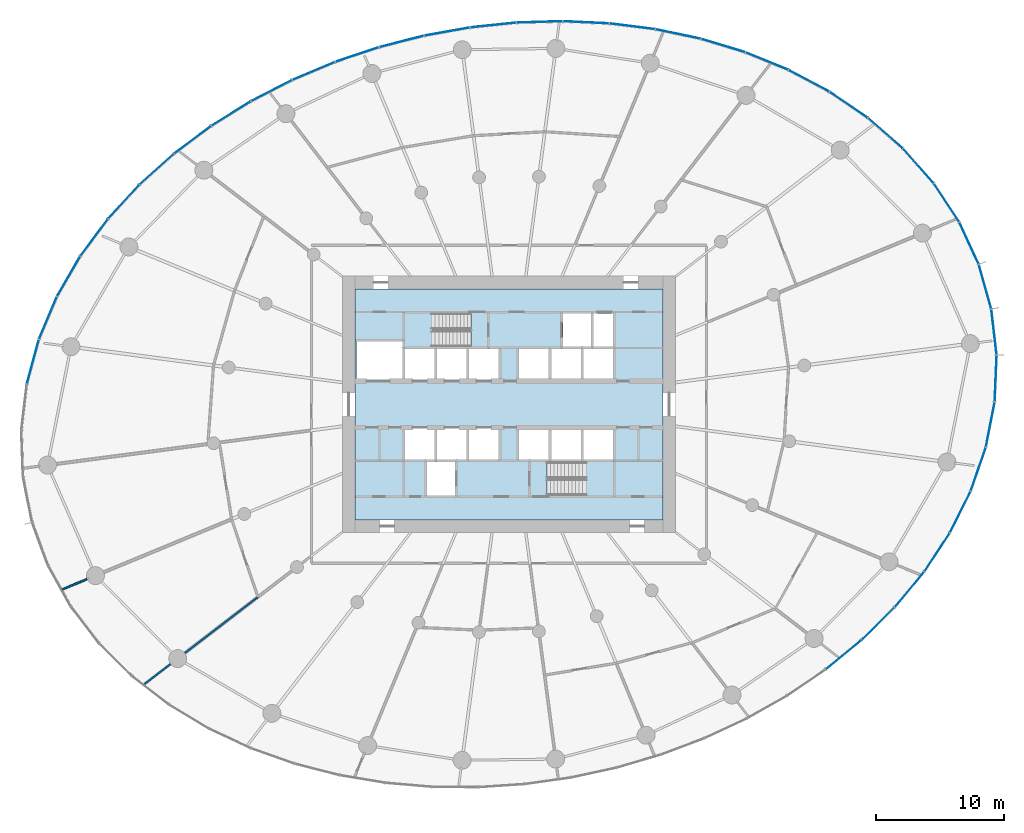
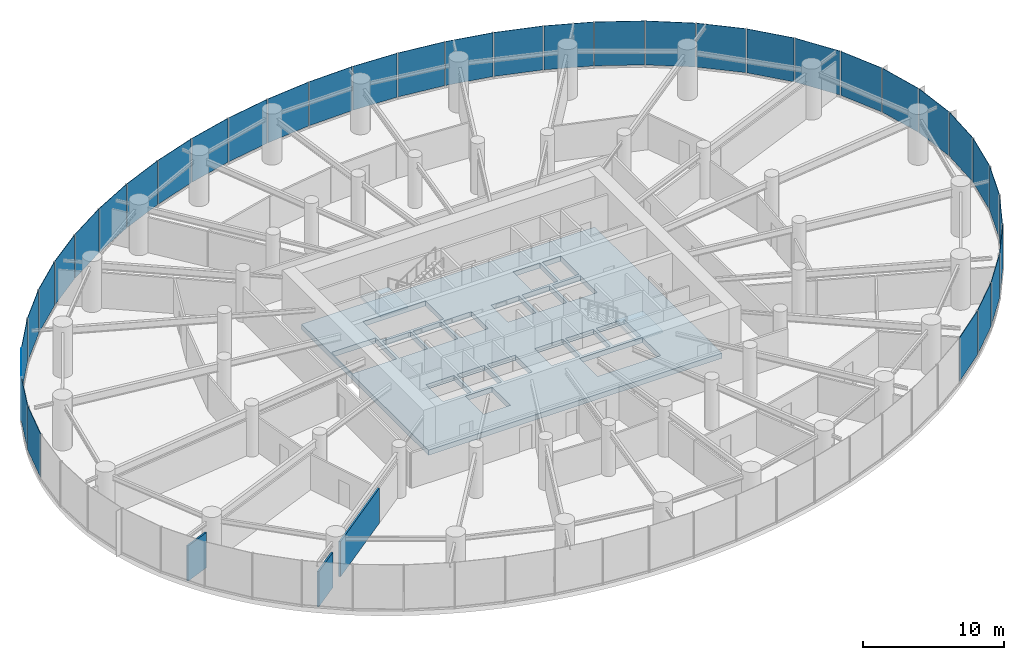
# One storey, part 11 of 19: 36 plates, 3 slabs, 3 walls, 9 elements without a shape of their own.
"""IFC4 building model written with IfcOpenShell, lengths in metres."""

from ifc_helpers import new_model, si_unit, direction, frame, frame_2d, origin, origin_2d, place, context, subcontext, project, spatial, line, indexed_curve, rectangle, outline, extrude, source, transform, mapped, material, layer, layer_set, type_object, element, aggregate, save


model = new_model("IFC4")

# Units and contexts
model_context = context("Model", 3, precision=1e-05, world=origin(), true_north=direction((0.0, 1.0)))
body_context = subcontext(model_context, "Body", "Model", "MODEL_VIEW")
ifc_project = project(units=[si_unit("LENGTHUNIT", "METRE"), si_unit("AREAUNIT", "SQUARE_METRE"), si_unit("VOLUMEUNIT", "CUBIC_METRE"), si_unit("PLANEANGLEUNIT", "RADIAN"), si_unit("MASSUNIT", "GRAM", prefix="KILO")], contexts=[model_context])

# Site, building, storey
site_placement = place(None, origin())
site = spatial("IfcSite", under=ifc_project, at=site_placement, CompositionType="ELEMENT")
building_placement = place(site_placement, origin())
building = spatial("IfcBuilding", under=site, at=building_placement, Name="Spindrift Exchange Tower", CompositionType="ELEMENT")
storey_placement = place(building_placement, frame((0.0, 0.0, 57.800048828125)))
storey = spatial("IfcBuildingStorey", under=building, at=storey_placement, Name="L13", CompositionType="ELEMENT", Elevation=57.800048828125)

# Slab
ifc_material_1 = material(Name="Concrete 50 MPa", Category="concrete")
ifc_layer_1 = layer(ifc_material_1, 0.449951171875)
ifc_layer_set_1 = layer_set([ifc_layer_1], Name="SL-CORE-FLOOR-450")
slab_type_1 = type_object("IfcSlabType", Name="SL-CORE-FLOOR-450", PredefinedType="FLOOR", material=ifc_layer_set_1)
slab_1_placement = place(storey_placement, frame((0.0, 0.0, -0.449951171875)))
element("IfcSlab", 1, at=slab_1_placement, inside=storey, type_object=slab_type_1, Name="L13 Core floor slab", PredefinedType="FLOOR", context=body_context, shape_type="SweptSolid", body=[
    extrude(outline(indexed_curve([(40.0, 39.0), (40.0, 57.0), (64.0, 57.0), (64.0, 39.0)], segments=[line(1, 2, 3, 4, 1)], self_intersect=False), holes=[indexed_curve([(47.800048828125, 43.5), (45.60009765625, 43.5), (45.60009765625, 40.89990234375), (47.800048828125, 40.89990234375)], segments=[line(1, 2, 3, 4, 1)], self_intersect=False), indexed_curve([(46.199951171875, 46.10009765625), (43.89990234375, 46.10009765625), (43.89990234375, 43.699951171875), (46.199951171875, 43.699951171875)], segments=[line(1, 2, 3, 4, 1)], self_intersect=False), indexed_curve([(48.699951171875, 46.10009765625), (46.39990234375, 46.10009765625), (46.39990234375, 43.699951171875), (48.699951171875, 43.699951171875)], segments=[line(1, 2, 3, 4, 1)], self_intersect=False), indexed_curve([(51.199951171875, 46.10009765625), (48.89990234375, 46.10009765625), (48.89990234375, 43.699951171875), (51.199951171875, 43.699951171875)], segments=[line(1, 2, 3, 4, 1)], self_intersect=False), indexed_curve([(46.199951171875, 52.300048828125), (43.89990234375, 52.300048828125), (43.89990234375, 49.89990234375), (46.199951171875, 49.89990234375)], segments=[line(1, 2, 3, 4, 1)], self_intersect=False), indexed_curve([(48.699951171875, 52.300048828125), (46.39990234375, 52.300048828125), (46.39990234375, 49.89990234375), (48.699951171875, 49.89990234375)], segments=[line(1, 2, 3, 4, 1)], self_intersect=False), indexed_curve([(51.199951171875, 52.300048828125), (48.89990234375, 52.300048828125), (48.89990234375, 49.89990234375), (51.199951171875, 49.89990234375)], segments=[line(1, 2, 3, 4, 1)], self_intersect=False), indexed_curve([(43.699951171875, 49.89990234375), (43.699951171875, 52.89990234375), (40.10009765625, 52.89990234375), (40.10009765625, 49.89990234375)], segments=[line(1, 2, 3, 4, 1)], self_intersect=False), indexed_curve([(49.0439453125, 55.093994140625), (43.906005859375, 55.093994140625), (43.906005859375, 52.506103515625), (49.0439453125, 52.506103515625)], segments=[line(1, 2, 3, 4, 1)], self_intersect=False), indexed_curve([(60.093994140625, 40.906005859375), (60.093994140625, 43.493896484375), (54.9560546875, 43.493896484375), (54.9560546875, 40.906005859375)], segments=[line(1, 2, 3, 4, 1)], self_intersect=False), indexed_curve([(55.10009765625, 46.10009765625), (52.800048828125, 46.10009765625), (52.800048828125, 43.699951171875), (55.10009765625, 43.699951171875)], segments=[line(1, 2, 3, 4, 1)], self_intersect=False), indexed_curve([(57.60009765625, 46.10009765625), (55.300048828125, 46.10009765625), (55.300048828125, 43.699951171875), (57.60009765625, 43.699951171875)], segments=[line(1, 2, 3, 4, 1)], self_intersect=False), indexed_curve([(60.10009765625, 46.10009765625), (57.800048828125, 46.10009765625), (57.800048828125, 43.699951171875), (60.10009765625, 43.699951171875)], segments=[line(1, 2, 3, 4, 1)], self_intersect=False), indexed_curve([(55.10009765625, 52.300048828125), (52.800048828125, 52.300048828125), (52.800048828125, 49.89990234375), (55.10009765625, 49.89990234375)], segments=[line(1, 2, 3, 4, 1)], self_intersect=False), indexed_curve([(57.60009765625, 52.300048828125), (55.300048828125, 52.300048828125), (55.300048828125, 49.89990234375), (57.60009765625, 49.89990234375)], segments=[line(1, 2, 3, 4, 1)], self_intersect=False), indexed_curve([(60.10009765625, 52.300048828125), (57.800048828125, 52.300048828125), (57.800048828125, 49.89990234375), (60.10009765625, 49.89990234375)], segments=[line(1, 2, 3, 4, 1)], self_intersect=False), indexed_curve([(58.39990234375, 52.5), (58.39990234375, 55.10009765625), (56.199951171875, 55.10009765625), (56.199951171875, 52.5)], segments=[line(1, 2, 3, 4, 1)], self_intersect=False), indexed_curve([(60.10009765625, 52.5), (60.10009765625, 55.10009765625), (58.60009765625, 55.10009765625), (58.60009765625, 52.5)], segments=[line(1, 2, 3, 4, 1)], self_intersect=False)]), origin(), (0.0, 0.0, 1.0), 0.449951171875),
])

# Stair, slab
stair_type = type_object("IfcStairType", Name="ST-1250-R183", PredefinedType="HALF_TURN_STAIR", material=ifc_material_1)
stair_1_placement = place(storey_placement, origin())
stair_1 = element("IfcStair", 2, at=stair_1_placement, inside=storey, type_object=stair_type, Name="L13 Exit stair ST1", PredefinedType="HALF_TURN_STAIR")
ifc_layer_2 = layer(ifc_material_1, 0.199951171875)
ifc_layer_set_2 = layer_set([ifc_layer_2], Name="SL-LANDING")
slab_type_2 = type_object("IfcSlabType", Name="SL-LANDING", PredefinedType="LANDING", material=ifc_layer_set_2)
slab_2_placement = place(storey_placement, frame((0.0, 0.0, 2.0)))
slab_2 = element("IfcSlab", 3, at=slab_2_placement, type_object=slab_type_2, Name="ST1 landing 1", PredefinedType="LANDING", context=body_context, shape_type="SweptSolid", body=[
    extrude(outline(indexed_curve([(46.050048828125, 52.39990234375), (43.800048828125, 52.39990234375), (43.800048828125, 55.199951171875), (46.050048828125, 55.199951171875)], segments=[line(1, 2, 3, 4, 1)], self_intersect=False)), origin(), (0.0, 0.0, 1.0), 0.199951171875),
])
aggregate(stair_1, [slab_2])

stair_2_placement = place(storey_placement, origin())
stair_2 = element("IfcStair", 4, at=stair_2_placement, inside=storey, type_object=stair_type, Name="L13 Exit stair ST2", PredefinedType="HALF_TURN_STAIR")
slab_3_placement = place(storey_placement, frame((0.0, 0.0, 2.0)))
slab_3 = element("IfcSlab", 5, at=slab_3_placement, type_object=slab_type_2, Name="ST2 landing 1", PredefinedType="LANDING", context=body_context, shape_type="SweptSolid", body=[
    extrude(outline(indexed_curve([(57.949951171875, 43.60009765625), (60.199951171875, 43.60009765625), (60.199951171875, 40.800048828125), (57.949951171875, 40.800048828125)], segments=[line(1, 2, 3, 4, 1)], self_intersect=False)), origin(), (0.0, 0.0, 1.0), 0.199951171875),
])
aggregate(stair_2, [slab_3])

# Curtain wall, plate
ifc_material_2 = material(Name="Fritted laminated glass with bronze frame", Category="glass")
ifc_layer_3 = layer(ifc_material_2, 0.199951171875)
ifc_layer_set_3 = layer_set([ifc_layer_3], Name="ZONE 1 BRONZE FRITTED WALL")
curtain_wall_type = type_object("IfcCurtainWallType", Name="ZONE 1 BRONZE FRITTED WALL", PredefinedType="NOTDEFINED", material=ifc_layer_set_3)
curtain_wall_1_placement = place(storey_placement, origin())
curtain_wall_1 = element("IfcCurtainWall", 6, at=curtain_wall_1_placement, inside=storey, type_object=curtain_wall_type, Name="L13 Zone 1 Bronze Fritted Wall run 1", PredefinedType="NOTDEFINED")
ifc_material_3 = material(Name="Bronze fritted laminated glass, dense frit", Category="glass")
ifc_layer_4 = layer(ifc_material_3, 0.035888671875)
ifc_layer_set_4 = layer_set([ifc_layer_4], Name="ZONE 1 BRONZE FRITTED WALL PANEL DENSE FRIT 420")
plate_type_1 = type_object("IfcPlateType", Name="ZONE 1 BRONZE FRITTED WALL PANEL DENSE FRIT 420", PredefinedType="CURTAIN_PANEL", material=ifc_layer_set_4)
shared_shape_1 = source(origin(), body_context, "Body", "SweptSolid", [
    extrude(rectangle(XDim=3.544677734375, YDim=0.035888671875, at=origin_2d()), origin(), (0.0, 0.0, 1.0), 3.800048828125),
])
plate_1_placement = place(storey_placement, frame((87.880859375, 60.567138671875, 0.14990234375), z_axis=(0.0, 0.0, 1.0), x_axis=(-0.418559879449, 0.908189202378, 0.0)))
plate_1 = element("IfcPlate", 7, at=plate_1_placement, type_object=plate_type_1, Name="L13 panel CW-1.2", PredefinedType="CURTAIN_PANEL", context=body_context, shape_type="MappedRepresentation", body=[
    mapped(shared_shape_1, transform((0.0, 0.0, 0.0), scale=1.0)),
])

# Curtain wall, plates
curtain_wall_2_placement = place(storey_placement, origin())
curtain_wall_2 = element("IfcCurtainWall", 8, at=curtain_wall_2_placement, inside=storey, type_object=curtain_wall_type, Name="L13 Zone 1 Bronze Fritted Wall run 10", PredefinedType="NOTDEFINED")
plate_2_placement = place(storey_placement, frame((89.964111328125, 50.021728515625, 0.14990234375), z_axis=(0.0, 0.0, 1.0), x_axis=(0.04174312469, 0.999128375906, 0.0)))
plate_2 = element("IfcPlate", 9, at=plate_2_placement, type_object=plate_type_1, Name="L13 panel CW-1.58", PredefinedType="CURTAIN_PANEL", context=body_context, shape_type="MappedRepresentation", body=[
    mapped(shared_shape_1, transform((0.0, 0.0, 0.0), scale=1.0)),
])
ifc_layer_5 = layer(ifc_material_3, 0.035888671875)
ifc_layer_set_5 = layer_set([ifc_layer_5], Name="ZONE 1 BRONZE FRITTED WALL PANEL DENSE FRIT 180")
plate_type_2 = type_object("IfcPlateType", Name="ZONE 1 BRONZE FRITTED WALL PANEL DENSE FRIT 180", PredefinedType="CURTAIN_PANEL", material=ifc_layer_set_5)
shared_shape_2 = source(origin(), body_context, "Body", "SweptSolid", [
    extrude(rectangle(XDim=3.544921875, YDim=0.035888671875, at=origin_2d()), origin(), (0.0, 0.0, 1.0), 3.800048828125),
])
plate_3_placement = place(storey_placement, frame((89.542236328125, 46.431884765625, 0.14990234375), z_axis=(0.0, 0.0, 1.0), x_axis=(0.191009443125, 0.981588199112, 0.0)))
plate_3 = element("IfcPlate", 10, at=plate_3_placement, type_object=plate_type_2, Name="L13 panel CW-1.57", PredefinedType="CURTAIN_PANEL", context=body_context, shape_type="MappedRepresentation", body=[
    mapped(shared_shape_2, transform((0.0, 0.0, 0.0), scale=1.0)),
])

# Plate
shared_shape_3 = source(origin(), body_context, "Body", "SweptSolid", [
    extrude(rectangle(XDim=3.5458984375, YDim=0.035888671875, at=origin_2d()), origin(), (0.0, 0.0, 1.0), 3.800048828125),
])
plate_4_placement = place(storey_placement, frame((81.36328125, 69.150634765625, 0.14990234375), z_axis=(0.0, 0.0, 1.0), x_axis=(-0.753478483135, 0.657472566312, 0.0)))
plate_4 = element("IfcPlate", 11, at=plate_4_placement, type_object=plate_type_2, Name="L13 panel CW-1.5", PredefinedType="CURTAIN_PANEL", context=body_context, shape_type="MappedRepresentation", body=[
    mapped(shared_shape_3, transform((0.0, 0.0, 0.0), scale=1.0)),
])

ifc_layer_6 = layer(ifc_material_3, 0.035888671875)
ifc_layer_set_6 = layer_set([ifc_layer_6], Name="ZONE 1 BRONZE FRITTED WALL PANEL DENSE FRIT 300")
plate_type_3 = type_object("IfcPlateType", Name="ZONE 1 BRONZE FRITTED WALL PANEL DENSE FRIT 300", PredefinedType="CURTAIN_PANEL", material=ifc_layer_set_6)
shared_shape_4 = source(origin(), body_context, "Body", "SweptSolid", [
    extrude(rectangle(XDim=3.54638671875, YDim=0.035888671875, at=origin_2d()), origin(), (0.0, 0.0, 1.0), 3.800048828125),
])
plate_5_placement = place(storey_placement, frame((78.4990234375, 71.36328125, 0.14990234375), z_axis=(0.0, 0.0, 1.0), x_axis=(-0.826415846145, 0.56306025365, 0.0)))
plate_5 = element("IfcPlate", 12, at=plate_5_placement, type_object=plate_type_3, Name="L13 panel CW-1.6", PredefinedType="CURTAIN_PANEL", context=body_context, shape_type="MappedRepresentation", body=[
    mapped(shared_shape_4, transform((0.0, 0.0, 0.0), scale=1.0)),
])

# Curtain wall, plate
curtain_wall_3_placement = place(storey_placement, origin())
curtain_wall_3 = element("IfcCurtainWall", 13, at=curtain_wall_3_placement, inside=storey, type_object=curtain_wall_type, Name="L13 Zone 1 Bronze Fritted Wall run 2", PredefinedType="NOTDEFINED")
shared_shape_5 = source(origin(), body_context, "Body", "SweptSolid", [
    extrude(rectangle(XDim=3.546875, YDim=0.035888671875, at=origin_2d()), origin(), (0.0, 0.0, 1.0), 3.800048828125),
])
plate_6_placement = place(storey_placement, frame((72.119873046875, 74.77294921875, 0.14990234375), z_axis=(0.0, 0.0, 1.0), x_axis=(-0.925676582694, 0.378315826066, 0.0)))
plate_6 = element("IfcPlate", 14, at=plate_6_placement, type_object=plate_type_3, Name="L13 panel CW-1.8", PredefinedType="CURTAIN_PANEL", context=body_context, shape_type="MappedRepresentation", body=[
    mapped(shared_shape_5, transform((0.0, 0.0, 0.0), scale=1.0)),
])

# Curtain wall, plates
curtain_wall_4_placement = place(storey_placement, origin())
curtain_wall_4 = element("IfcCurtainWall", 15, at=curtain_wall_4_placement, inside=storey, type_object=curtain_wall_type, Name="L13 Zone 1 Bronze Fritted Wall run 4", PredefinedType="NOTDEFINED")
shared_shape_6 = source(origin(), body_context, "Body", "SweptSolid", [
    extrude(rectangle(XDim=3.547119140625, YDim=0.035888671875, at=origin_2d()), origin(), (0.0, 0.0, 1.0), 3.800048828125),
])
plate_7_placement = place(storey_placement, frame((30.330078125, 70.685546875, 0.14990234375), z_axis=(0.0, 0.0, 1.0), x_axis=(-0.849528284323, -0.52754307325, 0.0)))
plate_7 = element("IfcPlate", 16, at=plate_7_placement, type_object=plate_type_1, Name="L13 panel CW-1.20", PredefinedType="CURTAIN_PANEL", context=body_context, shape_type="MappedRepresentation", body=[
    mapped(shared_shape_6, transform((0.0, 0.0, 0.0), scale=1.0)),
])
plate_8_placement = place(storey_placement, frame((27.335205078125, 68.645263671875, 0.14990234375), z_axis=(0.0, 0.0, 1.0), x_axis=(-0.801839265911, -0.597539782477, 0.0)))
plate_8 = element("IfcPlate", 17, at=plate_8_placement, type_object=plate_type_1, Name="L13 panel CW-1.21", PredefinedType="CURTAIN_PANEL", context=body_context, shape_type="MappedRepresentation", body=[
    mapped(shared_shape_6, transform((0.0, 0.0, 0.0), scale=1.0)),
])

# Plate
shared_shape_7 = source(origin(), body_context, "Body", "SweptSolid", [
    extrude(rectangle(XDim=3.547119140625, YDim=0.035888671875, at=origin_2d()), origin(), (0.0, 0.0, 1.0), 3.800048828125),
])
plate_9_placement = place(storey_placement, frame((68.705810546875, 75.985595703125, 0.14990234375), z_axis=(0.0, 0.0, 1.0), x_axis=(-0.956911452384, 0.290379875848, 0.0)))
plate_9 = element("IfcPlate", 18, at=plate_9_placement, type_object=plate_type_3, Name="L13 panel CW-1.9", PredefinedType="CURTAIN_PANEL", context=body_context, shape_type="MappedRepresentation", body=[
    mapped(shared_shape_7, transform((0.0, 0.0, 0.0), scale=1.0)),
])

plate_10_placement = place(storey_placement, frame((65.19580078125, 76.885498046875, 0.14990234375), z_axis=(0.0, 0.0, 1.0), x_axis=(-0.978579826418, 0.205867732605, 0.0)))
plate_10 = element("IfcPlate", 19, at=plate_10_placement, type_object=plate_type_3, Name="L13 panel CW-1.10", PredefinedType="CURTAIN_PANEL", context=body_context, shape_type="MappedRepresentation", body=[
    mapped(shared_shape_7, transform((0.0, 0.0, 0.0), scale=1.0)),
])

# Curtain wall, plates
curtain_wall_5_placement = place(storey_placement, origin())
curtain_wall_5 = element("IfcCurtainWall", 20, at=curtain_wall_5_placement, inside=storey, type_object=curtain_wall_type, Name="L13 Zone 1 Bronze Fritted Wall run 3", PredefinedType="NOTDEFINED")
shared_shape_8 = source(origin(), body_context, "Body", "SweptSolid", [
    extrude(rectangle(XDim=3.54736328125, YDim=0.035888671875, at=origin_2d()), origin(), (0.0, 0.0, 1.0), 3.800048828125),
])
plate_11_placement = place(storey_placement, frame((50.76904296875, 77.582763671875, 0.14990234375), z_axis=(0.0, 0.0, 1.0), x_axis=(-0.994619065369, -0.103599781871, 0.0)))
plate_11 = element("IfcPlate", 21, at=plate_11_placement, type_object=plate_type_3, Name="L13 panel CW-1.14", PredefinedType="CURTAIN_PANEL", context=body_context, shape_type="MappedRepresentation", body=[
    mapped(shared_shape_8, transform((0.0, 0.0, 0.0), scale=1.0)),
])
plate_12_placement = place(storey_placement, frame((47.1796875, 77.07568359375, 0.14990234375), z_axis=(0.0, 0.0, 1.0), x_axis=(-0.984401091502, -0.175938884414, 0.0)))
plate_12 = element("IfcPlate", 22, at=plate_12_placement, type_object=plate_type_3, Name="L13 panel CW-1.15", PredefinedType="CURTAIN_PANEL", context=body_context, shape_type="MappedRepresentation", body=[
    mapped(shared_shape_8, transform((0.0, 0.0, 0.0), scale=1.0)),
])

# Plate
shared_shape_9 = source(origin(), body_context, "Body", "SweptSolid", [
    extrude(rectangle(XDim=3.54736328125, YDim=0.035888671875, at=origin_2d()), origin(), (0.0, 0.0, 1.0), 3.800048828125),
])
plate_13_placement = place(storey_placement, frame((61.62158203125, 77.48486328125, 0.14990234375), z_axis=(0.0, 0.0, 1.0), x_axis=(-0.992205656362, 0.124611137074, 0.0)))
plate_13 = element("IfcPlate", 23, at=plate_13_placement, type_object=plate_type_2, Name="L13 panel CW-1.11", PredefinedType="CURTAIN_PANEL", context=body_context, shape_type="MappedRepresentation", body=[
    mapped(shared_shape_9, transform((0.0, 0.0, 0.0), scale=1.0)),
])

plate_14_placement = place(storey_placement, frame((43.63671875, 76.30859375, 0.14990234375), z_axis=(0.0, 0.0, 1.0), x_axis=(-0.96898511625, -0.247119089683, 0.0)))
plate_14 = element("IfcPlate", 24, at=plate_14_placement, type_object=plate_type_2, Name="L13 panel CW-1.16", PredefinedType="CURTAIN_PANEL", context=body_context, shape_type="MappedRepresentation", body=[
    mapped(shared_shape_9, transform((0.0, 0.0, 0.0), scale=1.0)),
])

plate_15_placement = place(storey_placement, frame((40.159423828125, 75.2841796875, 0.14990234375), z_axis=(0.0, 0.0, 1.0), x_axis=(-0.948230021569, -0.317584360754, 0.0)))
plate_15 = element("IfcPlate", 25, at=plate_15_placement, type_object=plate_type_2, Name="L13 panel CW-1.17", PredefinedType="CURTAIN_PANEL", context=body_context, shape_type="MappedRepresentation", body=[
    mapped(shared_shape_9, transform((0.0, 0.0, 0.0), scale=1.0)),
])

plate_16_placement = place(storey_placement, frame((36.767822265625, 74.005126953125, 0.14990234375), z_axis=(0.0, 0.0, 1.0), x_axis=(-0.921810388348, -0.387641081329, 0.0)))
plate_16 = element("IfcPlate", 26, at=plate_16_placement, type_object=plate_type_2, Name="L13 panel CW-1.18", PredefinedType="CURTAIN_PANEL", context=body_context, shape_type="MappedRepresentation", body=[
    mapped(shared_shape_9, transform((0.0, 0.0, 0.0), scale=1.0)),
])

shared_shape_10 = source(origin(), body_context, "Body", "SweptSolid", [
    extrude(rectangle(XDim=3.54736328125, YDim=0.035888671875, at=origin_2d()), origin(), (0.0, 0.0, 1.0), 3.800048828125),
])
plate_17_placement = place(storey_placement, frame((58.010498046875, 77.794677734375, 0.14990234375), z_axis=(0.0, 0.0, 1.0), x_axis=(-0.998931974113, 0.046205098136, 0.0)))
plate_17 = element("IfcPlate", 27, at=plate_17_placement, type_object=plate_type_1, Name="L13 panel CW-1.12", PredefinedType="CURTAIN_PANEL", context=body_context, shape_type="MappedRepresentation", body=[
    mapped(shared_shape_10, transform((0.0, 0.0, 0.0), scale=1.0)),
])

plate_18_placement = place(storey_placement, frame((54.3857421875, 77.82470703125, 0.14990234375), z_axis=(0.0, 0.0, 1.0), x_axis=(-0.999559134938, -0.029690667931, 0.0)))
plate_18 = element("IfcPlate", 28, at=plate_18_placement, type_object=plate_type_1, Name="L13 panel CW-1.13", PredefinedType="CURTAIN_PANEL", context=body_context, shape_type="MappedRepresentation", body=[
    mapped(shared_shape_10, transform((0.0, 0.0, 0.0), scale=1.0)),
])

aggregate(curtain_wall_5, [plate_18, plate_11, plate_12, plate_14, plate_15, plate_16])

plate_19_placement = place(storey_placement, frame((33.4833984375, 72.472412109375, 0.14990234375), z_axis=(0.0, 0.0, 1.0), x_axis=(-0.889167332084, -0.457582184481, 0.0)))
plate_19 = element("IfcPlate", 29, at=plate_19_placement, type_object=plate_type_1, Name="L13 panel CW-1.19", PredefinedType="CURTAIN_PANEL", context=body_context, shape_type="MappedRepresentation", body=[
    mapped(shared_shape_10, transform((0.0, 0.0, 0.0), scale=1.0)),
])

# Curtain wall, plates
curtain_wall_6_placement = place(storey_placement, origin())
curtain_wall_6 = element("IfcCurtainWall", 30, at=curtain_wall_6_placement, inside=storey, type_object=curtain_wall_type, Name="L13 Zone 1 Bronze Fritted Wall run 9", PredefinedType="NOTDEFINED")
shared_shape_11 = source(origin(), body_context, "Body", "SweptSolid", [
    extrude(rectangle(XDim=3.547119140625, YDim=0.035888671875, at=origin_2d()), origin(), (0.0, 0.0, 1.0), 3.800048828125),
])
plate_20_placement = place(storey_placement, frame((78.09326171875, 28.469970703125, 0.14990234375), z_axis=(0.0, 0.0, 1.0), x_axis=(0.774578129682, 0.632478237585, 0.0)))
plate_20 = element("IfcPlate", 31, at=plate_20_placement, type_object=plate_type_2, Name="L13 panel CW-1.51", PredefinedType="CURTAIN_PANEL", context=body_context, shape_type="MappedRepresentation", body=[
    mapped(shared_shape_11, transform((0.0, 0.0, 0.0), scale=1.0)),
])
shared_shape_12 = source(origin(), body_context, "Body", "SweptSolid", [
    extrude(rectangle(XDim=3.546875, YDim=0.035888671875, at=origin_2d()), origin(), (0.0, 0.0, 1.0), 3.800048828125),
])
plate_21_placement = place(storey_placement, frame((80.78955078125, 30.889892578125, 0.14990234375), z_axis=(0.0, 0.0, 1.0), x_axis=(0.71225762453, 0.701918140739, 0.0)))
plate_21 = element("IfcPlate", 32, at=plate_21_placement, type_object=plate_type_1, Name="L13 panel CW-1.52", PredefinedType="CURTAIN_PANEL", context=body_context, shape_type="MappedRepresentation", body=[
    mapped(shared_shape_12, transform((0.0, 0.0, 0.0), scale=1.0)),
])

# Curtain wall, plate
curtain_wall_7_placement = place(storey_placement, origin())
curtain_wall_7 = element("IfcCurtainWall", 33, at=curtain_wall_7_placement, inside=storey, type_object=curtain_wall_type, Name="L13 Zone 1 Bronze Fritted Wall run 5", PredefinedType="NOTDEFINED")
shared_shape_13 = source(origin(), body_context, "Body", "SweptSolid", [
    extrude(rectangle(XDim=3.545654296875, YDim=0.035888671875, at=origin_2d()), origin(), (0.0, 0.0, 1.0), 3.800048828125),
])
plate_22_placement = place(storey_placement, frame((16.043701171875, 54.750244140625, 0.14990234375), z_axis=(0.0, 0.0, 1.0), x_axis=(-0.389003363919, -0.921236333879, 0.0)))
plate_22 = element("IfcPlate", 34, at=plate_22_placement, type_object=plate_type_2, Name="L13 panel CW-1.26", PredefinedType="CURTAIN_PANEL", context=body_context, shape_type="MappedRepresentation", body=[
    mapped(shared_shape_13, transform((0.0, 0.0, 0.0), scale=1.0)),
])

# Plate
shared_shape_14 = source(origin(), body_context, "Body", "SweptSolid", [
    extrude(rectangle(XDim=3.54443359375, YDim=0.035888671875, at=origin_2d()), origin(), (0.0, 0.0, 1.0), 3.800048828125),
])
plate_23_placement = place(storey_placement, frame((89.131103515625, 57.177001953125, 0.14990234375), z_axis=(0.0, 0.0, 1.0), x_axis=(-0.271356458768, 0.962478920437, 0.0)))
plate_23 = element("IfcPlate", 35, at=plate_23_placement, type_object=plate_type_2, Name="L13 panel CW-1.1", PredefinedType="CURTAIN_PANEL", context=body_context, shape_type="MappedRepresentation", body=[
    mapped(shared_shape_14, transform((0.0, 0.0, 0.0), scale=1.0)),
])

shared_shape_15 = source(origin(), body_context, "Body", "SweptSolid", [
    extrude(rectangle(XDim=3.54443359375, YDim=0.035888671875, at=origin_2d()), origin(), (0.0, 0.0, 1.0), 3.800048828125),
])
plate_24_placement = place(storey_placement, frame((89.831298828125, 53.6328125, 0.14990234375), z_axis=(0.0, 0.0, 1.0), x_axis=(-0.115051578058, 0.993359519201, 0.0)))
plate_24 = element("IfcPlate", 36, at=plate_24_placement, type_object=plate_type_1, Name="L13 panel CW-1.59", PredefinedType="CURTAIN_PANEL", context=body_context, shape_type="MappedRepresentation", body=[
    mapped(shared_shape_15, transform((0.0, 0.0, 0.0), scale=1.0)),
])

shared_shape_16 = source(origin(), body_context, "Body", "SweptSolid", [
    extrude(rectangle(XDim=3.5458984375, YDim=0.035888671875, at=origin_2d()), origin(), (0.0, 0.0, 1.0), 3.800048828125),
])
plate_25_placement = place(storey_placement, frame((17.656494140625, 57.989990234375, 0.14990234375), z_axis=(0.0, 0.0, 1.0), x_axis=(-0.500545552028, -0.865710199978, 0.0)))
plate_25 = element("IfcPlate", 37, at=plate_25_placement, type_object=plate_type_1, Name="L13 panel CW-1.25", PredefinedType="CURTAIN_PANEL", context=body_context, shape_type="MappedRepresentation", body=[
    mapped(shared_shape_16, transform((0.0, 0.0, 0.0), scale=1.0)),
])

shared_shape_17 = source(origin(), body_context, "Body", "SweptSolid", [
    extrude(rectangle(XDim=3.54638671875, YDim=0.035888671875, at=origin_2d()), origin(), (0.0, 0.0, 1.0), 3.800048828125),
])
plate_26_placement = place(storey_placement, frame((19.64453125, 61.015380859375, 0.14990234375), z_axis=(0.0, 0.0, 1.0), x_axis=(-0.595986647985, -0.802994343332, 0.0)))
plate_26 = element("IfcPlate", 38, at=plate_26_placement, type_object=plate_type_2, Name="L13 panel CW-1.24", PredefinedType="CURTAIN_PANEL", context=body_context, shape_type="MappedRepresentation", body=[
    mapped(shared_shape_17, transform((0.0, 0.0, 0.0), scale=1.0)),
])

shared_shape_18 = source(origin(), body_context, "Body", "SweptSolid", [
    extrude(rectangle(XDim=3.546875, YDim=0.035888671875, at=origin_2d()), origin(), (0.0, 0.0, 1.0), 3.800048828125),
])
plate_27_placement = place(storey_placement, frame((24.5302734375, 66.3515625, 0.14990234375), z_axis=(0.0, 0.0, 1.0), x_axis=(-0.744796234484, -0.667291966907, 0.0)))
plate_27 = element("IfcPlate", 39, at=plate_27_placement, type_object=plate_type_2, Name="L13 panel CW-1.22", PredefinedType="CURTAIN_PANEL", context=body_context, shape_type="MappedRepresentation", body=[
    mapped(shared_shape_18, transform((0.0, 0.0, 0.0), scale=1.0)),
])

shared_shape_19 = source(origin(), body_context, "Body", "SweptSolid", [
    extrude(rectangle(XDim=3.5458984375, YDim=0.035888671875, at=origin_2d()), origin(), (0.0, 0.0, 1.0), 3.800048828125),
])
plate_28_placement = place(storey_placement, frame((87.200439453125, 39.604736328125, 0.14990234375), z_axis=(0.0, 0.0, 1.0), x_axis=(0.446849030163, 0.894609380815, 0.0)))
plate_28 = element("IfcPlate", 40, at=plate_28_placement, type_object=plate_type_3, Name="L13 panel CW-1.55", PredefinedType="CURTAIN_PANEL", context=body_context, shape_type="MappedRepresentation", body=[
    mapped(shared_shape_19, transform((0.0, 0.0, 0.0), scale=1.0)),
])

shared_shape_20 = source(origin(), body_context, "Body", "SweptSolid", [
    extrude(rectangle(XDim=3.54541015625, YDim=0.035888671875, at=origin_2d()), origin(), (0.0, 0.0, 1.0), 3.800048828125),
])
plate_29_placement = place(storey_placement, frame((83.928955078125, 66.599609375, 0.14990234375), z_axis=(0.0, 0.0, 1.0), x_axis=(-0.661800053319, 0.749680391518, 0.0)))
plate_29 = element("IfcPlate", 41, at=plate_29_placement, type_object=plate_type_3, Name="L13 panel CW-1.4", PredefinedType="CURTAIN_PANEL", context=body_context, shape_type="MappedRepresentation", body=[
    mapped(shared_shape_20, transform((0.0, 0.0, 0.0), scale=1.0)),
])

plate_30_placement = place(storey_placement, frame((88.603515625, 42.939697265625, 0.14990234375), z_axis=(0.0, 0.0, 1.0), x_axis=(0.326988644022, 0.945028267662, 0.0)))
plate_30 = element("IfcPlate", 42, at=plate_30_placement, type_object=plate_type_3, Name="L13 panel CW-1.56", PredefinedType="CURTAIN_PANEL", context=body_context, shape_type="MappedRepresentation", body=[
    mapped(shared_shape_20, transform((0.0, 0.0, 0.0), scale=1.0)),
])

aggregate(curtain_wall_2, [plate_28, plate_30, plate_3, plate_2, plate_24])

shared_shape_21 = source(origin(), body_context, "Body", "SweptSolid", [
    extrude(rectangle(XDim=3.546630859375, YDim=0.035888671875, at=origin_2d()), origin(), (0.0, 0.0, 1.0), 3.800048828125),
])
plate_31_placement = place(storey_placement, frame((75.399658203125, 73.235595703125, 0.14990234375), z_axis=(0.0, 0.0, 1.0), x_axis=(-0.882957425255, 0.469453070272, 0.0)))
plate_31 = element("IfcPlate", 43, at=plate_31_placement, type_object=plate_type_3, Name="L13 panel CW-1.7", PredefinedType="CURTAIN_PANEL", context=body_context, shape_type="MappedRepresentation", body=[
    mapped(shared_shape_21, transform((0.0, 0.0, 0.0), scale=1.0)),
])

aggregate(curtain_wall_3, [plate_31, plate_6, plate_9, plate_10, plate_13, plate_17])

shared_shape_22 = source(origin(), body_context, "Body", "SweptSolid", [
    extrude(rectangle(XDim=3.546142578125, YDim=0.035888671875, at=origin_2d()), origin(), (0.0, 0.0, 1.0), 3.800048828125),
])
plate_32_placement = place(storey_placement, frame((85.392822265625, 36.468994140625, 0.14990234375), z_axis=(0.0, 0.0, 1.0), x_axis=(0.550212608175, 0.835024601916, 0.0)))
plate_32 = element("IfcPlate", 44, at=plate_32_placement, type_object=plate_type_2, Name="L13 panel CW-1.54", PredefinedType="CURTAIN_PANEL", context=body_context, shape_type="MappedRepresentation", body=[
    mapped(shared_shape_22, transform((0.0, 0.0, 0.0), scale=1.0)),
])

shared_shape_23 = source(origin(), body_context, "Body", "SweptSolid", [
    extrude(rectangle(XDim=3.545166015625, YDim=0.035888671875, at=origin_2d()), origin(), (0.0, 0.0, 1.0), 3.800048828125),
])
plate_33_placement = place(storey_placement, frame((14.865478515625, 51.33056640625, 0.14990234375), z_axis=(0.0, 0.0, 1.0), x_axis=(-0.26089879273, -0.965366158487, 0.0)))
plate_33 = element("IfcPlate", 45, at=plate_33_placement, type_object=plate_type_1, Name="L13 panel CW-1.27", PredefinedType="CURTAIN_PANEL", context=body_context, shape_type="MappedRepresentation", body=[
    mapped(shared_shape_23, transform((0.0, 0.0, 0.0), scale=1.0)),
])

aggregate(curtain_wall_7, [plate_25, plate_22, plate_33])

shared_shape_24 = source(origin(), body_context, "Body", "SweptSolid", [
    extrude(rectangle(XDim=3.546630859375, YDim=0.035888671875, at=origin_2d()), origin(), (0.0, 0.0, 1.0), 3.800048828125),
])
plate_34_placement = place(storey_placement, frame((21.952392578125, 63.806396484375, 0.14990234375), z_axis=(0.0, 0.0, 1.0), x_axis=(-0.676786033407, -0.736179777626, 0.0)))
plate_34 = element("IfcPlate", 46, at=plate_34_placement, type_object=plate_type_1, Name="L13 panel CW-1.23", PredefinedType="CURTAIN_PANEL", context=body_context, shape_type="MappedRepresentation", body=[
    mapped(shared_shape_24, transform((0.0, 0.0, 0.0), scale=1.0)),
])

aggregate(curtain_wall_4, [plate_19, plate_7, plate_8, plate_27, plate_34, plate_26])

plate_35_placement = place(storey_placement, frame((83.23828125, 33.558837890625, 0.14990234375), z_axis=(0.0, 0.0, 1.0), x_axis=(0.638096146601, 0.769956692089, 0.0)))
plate_35 = element("IfcPlate", 47, at=plate_35_placement, type_object=plate_type_1, Name="L13 panel CW-1.53", PredefinedType="CURTAIN_PANEL", context=body_context, shape_type="MappedRepresentation", body=[
    mapped(shared_shape_24, transform((0.0, 0.0, 0.0), scale=1.0)),
])

aggregate(curtain_wall_6, [plate_20, plate_21, plate_35, plate_32])

shared_shape_25 = source(origin(), body_context, "Body", "SweptSolid", [
    extrude(rectangle(XDim=3.544921875, YDim=0.035888671875, at=origin_2d()), origin(), (0.0, 0.0, 1.0), 3.800048828125),
])
plate_36_placement = place(storey_placement, frame((86.12548828125, 63.726806640625, 0.14990234375), z_axis=(0.0, 0.0, 1.0), x_axis=(-0.549935673283, 0.835207013411, 0.0)))
plate_36 = element("IfcPlate", 48, at=plate_36_placement, type_object=plate_type_3, Name="L13 panel CW-1.3", PredefinedType="CURTAIN_PANEL", context=body_context, shape_type="MappedRepresentation", body=[
    mapped(shared_shape_25, transform((0.0, 0.0, 0.0), scale=1.0)),
])

aggregate(curtain_wall_1, [plate_23, plate_1, plate_36, plate_29, plate_4, plate_5])

# Walls
ifc_material_4 = material(Name="Fire-rated plasterboard partition", Category="gypsum")
ifc_layer_7 = layer(ifc_material_4, 0.139892578125)
ifc_layer_set_7 = layer_set([ifc_layer_7], Name="W-PART-140")
wall_type = type_object("IfcWallType", Name="W-PART-140", PredefinedType="PARTITIONING", material=ifc_layer_set_7)
wall_1_placement = place(storey_placement, frame((32.421142578125, 32.9765625, 0.0), z_axis=(0.0, 0.0, 1.0), x_axis=(-0.793363922365, -0.608747637933, 0.0)))
element("IfcWall", 49, at=wall_1_placement, inside=storey, type_object=wall_type, Name="L13 Partition wall 71", PredefinedType="PARTITIONING", context=body_context, shape_type="SweptSolid", body=[
    extrude(rectangle(XDim=7.18212890625, YDim=0.139892578125, at=frame_2d((3.591064453125, 0.0))), origin(), (0.0, 0.0, 1.0), 3.050048828125),
])
wall_2_placement = place(storey_placement, frame((25.605712890625, 27.746826171875, 0.0), z_axis=(0.0, 0.0, 1.0), x_axis=(-0.793376767289, -0.608730897135, 0.0)))
element("IfcWall", 50, at=wall_2_placement, inside=storey, type_object=wall_type, Name="L13 Partition wall 113", PredefinedType="PARTITIONING", context=body_context, shape_type="SweptSolid", body=[
    extrude(rectangle(XDim=2.60205078125, YDim=0.139892578125, at=frame_2d((1.301025390625, 0.0))), origin(), (0.0, 0.0, 1.0), 3.050048828125),
])
wall_3_placement = place(storey_placement, frame((19.099853515625, 34.372314453125, 0.0), z_axis=(0.0, 0.0, 1.0), x_axis=(-0.923903507837, -0.382625545679, 0.0)))
element("IfcWall", 51, at=wall_3_placement, inside=storey, type_object=wall_type, Name="L13 Partition wall 118", PredefinedType="PARTITIONING", context=body_context, shape_type="SweptSolid", body=[
    extrude(rectangle(XDim=2.126708984375, YDim=0.139892578125, at=frame_2d((1.0634765625, 0.0))), origin(), (0.0, 0.0, 1.0), 3.050048828125),
])

save(model, "model.ifc")
